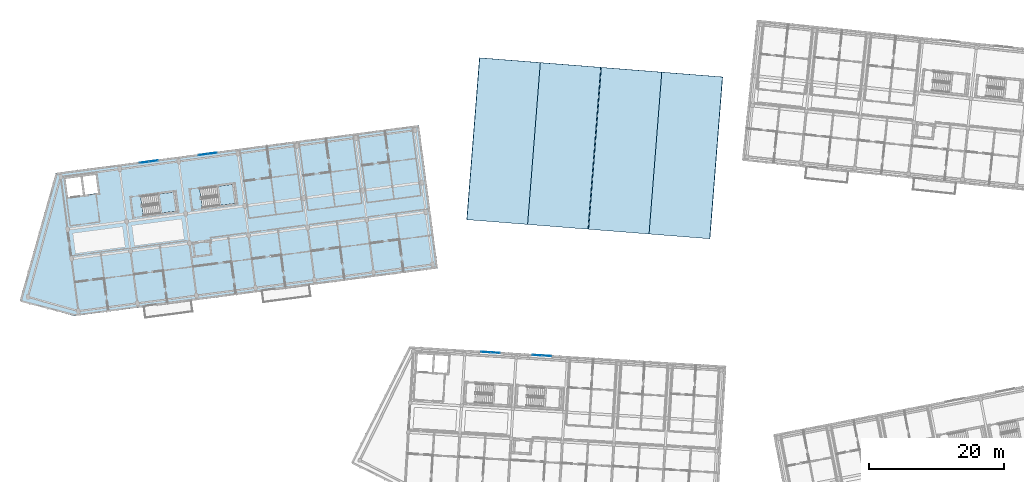
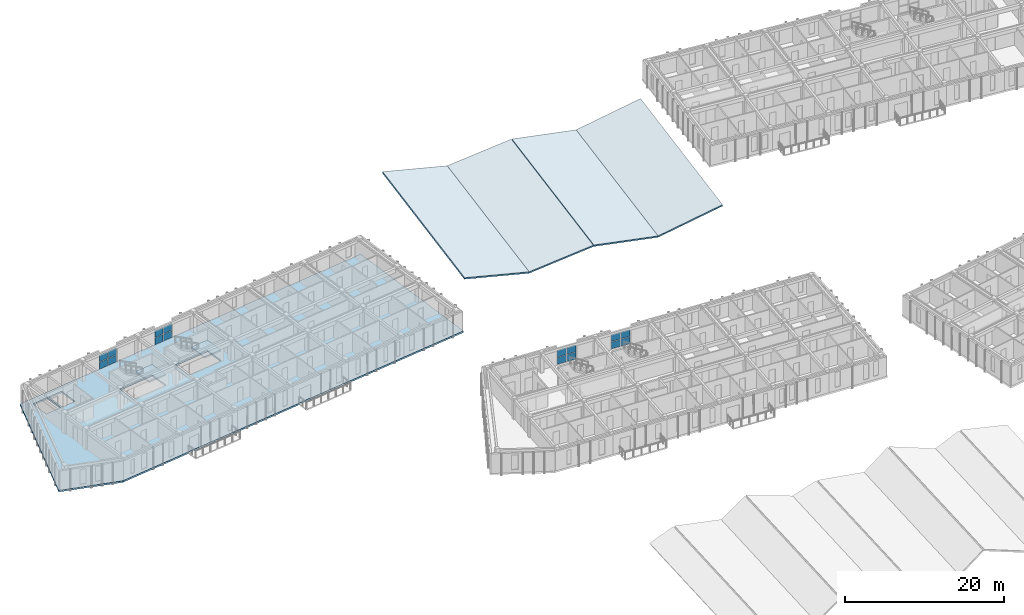
# One storey, part 16 of 74: 16 plates, 7 slabs, 6 elements without a shape of their own.
"""IFC4 building model written with IfcOpenShell, lengths in metres."""

import ifcopenshell
import ifcopenshell.guid

model = None  # the IFC model being written
_history = None  # IfcOwnerHistory: only IFC2X3 demands one
_inside = {}  # id of a spatial element -> (the spatial element, [elements in it])
_under = {}  # id of a project, library or spatial element -> (it, [spatial elements below it])
_declared = {}  # id of a project -> (the project, [libraries it declares])
_typed = {}  # id of a type object -> (the type object, [elements of that type])
_made_of = {}  # id of a material, layer set ... -> (it, [elements and type objects made of it])


def new_model(schema):
    """Start an empty IFC model of exactly this schema.

    Asked for "IFC4X3", IfcOpenShell would pick the latest addendum, in which some entities
    have other attributes; the version numbers below select the first issue.
    IFC2X3 requires an IfcOwnerHistory on every rooted entity: one is made here for all.
    """
    global model, _history
    if schema == "IFC4X3":
        model = ifcopenshell.file(schema_version=(4, 3, 0, 0))
    else:
        model = ifcopenshell.file(schema=schema)
    _inside.clear()
    _under.clear()
    _declared.clear()
    _typed.clear()
    _made_of.clear()
    _history = None
    if model.schema == "IFC2X3":
        org = make("IfcOrganization", Name="unknown")
        user = make(
            "IfcPersonAndOrganization",
            ThePerson=make("IfcPerson", FamilyName="unknown"),
            TheOrganization=org,
        )
        app = make(
            "IfcApplication",
            ApplicationDeveloper=org,
            Version="unknown",
            ApplicationFullName="unknown",
            ApplicationIdentifier="unknown",
        )
        _history = make(
            "IfcOwnerHistory",
            OwningUser=user,
            OwningApplication=app,
            ChangeAction="ADDED",
            CreationDate=0,
        )
    return model


def make(cls, **values):
    """One entity of the class cls with the attributes given. An attribute that is None is left unset."""
    return model.create_entity(
        cls, **{name: value for name, value in values.items() if value is not None}
    )


def rooted(cls, **values):
    """An entity with a GlobalId (a new one), such as an element, a storey or a relation."""
    return make(cls, GlobalId=ifcopenshell.guid.new(), OwnerHistory=_history, **values)


def si_unit(unit_type, name, prefix=None):
    """IfcSIUnit, for example si_unit("LENGTHUNIT", "METRE", prefix="MILLI")."""
    return make("IfcSIUnit", UnitType=unit_type, Prefix=prefix, Name=name)


def assignment(units):
    """IfcUnitAssignment: the units of a project."""
    return None if units is None else make("IfcUnitAssignment", Units=units)


def point(xyz):
    """IfcCartesianPoint."""
    return None if xyz is None else make("IfcCartesianPoint", Coordinates=xyz)


def direction(xyz):
    """IfcDirection."""
    return None if xyz is None else make("IfcDirection", DirectionRatios=xyz)


def frame(location, z_axis=None, x_axis=None):
    """IfcAxis2Placement3D, a coordinate frame: its origin and axes. An axis left out is left unset."""
    return make(
        "IfcAxis2Placement3D",
        Location=point(location),
        Axis=direction(z_axis),
        RefDirection=direction(x_axis),
    )


def frame_2d(location, x_axis=None):
    """IfcAxis2Placement2D, a coordinate frame in the plane: its origin and x axis."""
    return make(
        "IfcAxis2Placement2D", Location=point(location), RefDirection=direction(x_axis)
    )


def origin():
    """The frame at (0, 0, 0) with its axes left unset."""
    return frame((0.0, 0.0, 0.0))


def origin_2d():
    """The frame at (0, 0) in the plane with its x axis left unset."""
    return frame_2d((0.0, 0.0))


def place(relative_to, where):
    """IfcLocalPlacement: puts the frame where relative to a parent placement (None: the world)."""
    return make(
        "IfcLocalPlacement", PlacementRelTo=relative_to, RelativePlacement=where
    )


def context(
    kind, dimensions, precision=None, world=None, true_north=None, identifier=None
):
    """IfcGeometricRepresentationContext, for example the 3D "Model" context."""
    return make(
        "IfcGeometricRepresentationContext",
        ContextIdentifier=identifier,
        ContextType=kind,
        CoordinateSpaceDimension=dimensions,
        Precision=precision,
        WorldCoordinateSystem=world,
        TrueNorth=true_north,
    )


def subcontext(parent, identifier, kind, view, scale=None):
    """IfcGeometricRepresentationSubContext, for example "Body" below "Model"."""
    return make(
        "IfcGeometricRepresentationSubContext",
        ContextIdentifier=identifier,
        ContextType=kind,
        ParentContext=parent,
        TargetScale=scale,
        TargetView=view,
    )


def project(units=None, contexts=None):
    """IfcProject with its units and contexts."""
    return rooted(
        "IfcProject",
        Name="project",
        RepresentationContexts=contexts,
        UnitsInContext=assignment(units),
    )


def spatial(cls, under=None, at=None, **own):
    """A site, building, storey or space (cls), placed at a placement, below another one or the project."""
    s = rooted(cls, ObjectPlacement=at, **own)
    if under is not None:
        _under.setdefault(under.id(), (under, []))[1].append(s)
    return s


def polyline(points):
    """IfcPolyline through the points."""
    return make("IfcPolyline", Points=[point(p) for p in points])


def profile(cls, at=None, kind="AREA", **sizes):
    """A parametric profile (cls). Its sizes go by their IFC names, for example OverallWidth=200.0."""
    return make(cls, ProfileType=kind, Position=at, **sizes)


def rectangle(**sizes):
    """IfcRectangleProfileDef."""
    return profile("IfcRectangleProfileDef", **sizes)


def outline(outer, holes=None, kind="AREA"):
    """IfcArbitraryClosedProfileDef: a profile drawn as a closed curve; with holes, ...WithVoids."""
    if holes is None:
        return make("IfcArbitraryClosedProfileDef", ProfileType=kind, OuterCurve=outer)
    return make(
        "IfcArbitraryProfileDefWithVoids",
        ProfileType=kind,
        OuterCurve=outer,
        InnerCurves=holes,
    )


def extrude(swept, where, along, depth):
    """IfcExtrudedAreaSolid: the profile swept, set in the frame where, extruded along a direction by depth."""
    return make(
        "IfcExtrudedAreaSolid",
        SweptArea=swept,
        Position=where,
        ExtrudedDirection=direction(along),
        Depth=depth,
    )


def shape(context_of_items, identifier, shape_type, items):
    """IfcShapeRepresentation: the items that make up one representation, for example the "Body"."""
    return make(
        "IfcShapeRepresentation",
        ContextOfItems=context_of_items,
        RepresentationIdentifier=identifier,
        RepresentationType=shape_type,
        Items=items,
    )


def material(Name=None, Category=None):
    """IfcMaterial."""
    return make("IfcMaterial", Name=Name, Category=Category)


def layer(
    of_material, thickness, ventilated=None, Name=None, Category=None, Priority=None
):
    """IfcMaterialLayer: one layer of a wall or slab, of a material (None: an air gap)."""
    return make(
        "IfcMaterialLayer",
        Material=of_material,
        LayerThickness=thickness,
        IsVentilated=ventilated,
        Name=Name,
        Category=Category,
        Priority=Priority,
    )


def layer_set(layers, Name=None):
    """IfcMaterialLayerSet."""
    return make("IfcMaterialLayerSet", MaterialLayers=layers, LayerSetName=Name)


def made_of(thing, what):
    """Note that an element or type object is made of a material, layer set ...; save() writes the relation."""
    if what is not None:
        _made_of.setdefault(what.id(), (what, []))[1].append(thing)
    return thing


def type_object(cls, material=None, **own):
    """A type object (cls), such as IfcWallType, which elements share."""
    return made_of(rooted(cls, **own), material)


def element(
    cls,
    number,
    at=None,
    inside=None,
    cuts=None,
    type_object=None,
    material=None,
    context=None,
    identifier="Body",
    shape_type=None,
    held_by="IfcProductDefinitionShape",
    body=None,
    shapes=None,
    **own,
):
    """One element of the class cls, such as IfcWall. Its Tag is "e" and its number.

    at: its placement. inside: the storey or other place that contains it. cuts: it is an
    opening in that element (IfcRelVoidsElement). A single representation is given by context,
    identifier, shape_type and body (its items); several are given by shapes. held_by: the class
    of the entity that holds the representations. save() writes the other relations.
    """
    e = rooted(cls, Tag="e%d" % number, ObjectPlacement=at, **own)
    if body is not None:
        shapes = [shape(context, identifier, shape_type, body)]
    if shapes is not None:
        e.Representation = make(held_by, Representations=shapes)
    if inside is not None:
        _inside.setdefault(inside.id(), (inside, []))[1].append(e)
    if cuts is not None:
        rooted(
            "IfcRelVoidsElement", RelatingBuildingElement=cuts, RelatedOpeningElement=e
        )
    if type_object is not None:
        _typed.setdefault(type_object.id(), (type_object, []))[1].append(e)
    return made_of(e, material)


def aggregate(whole, parts):
    """IfcRelAggregates: a whole, such as a stair, and the parts it consists of."""
    return rooted("IfcRelAggregates", RelatingObject=whole, RelatedObjects=parts)


def save(model, path):
    """Write the relations noted so far, then the file.

    IfcRelAggregates (storeys below a building ...), IfcRelContainedInSpatialStructure (elements
    in a storey), IfcRelDefinesByType, IfcRelAssociatesMaterial and IfcRelDeclares: one each for
    every whole, place, type object, material and project.
    """
    for whole, parts in _under.values():
        aggregate(whole, parts)
    for where, things in _inside.values():
        rooted(
            "IfcRelContainedInSpatialStructure",
            RelatedElements=things,
            RelatingStructure=where,
        )
    for kind, things in _typed.values():
        rooted("IfcRelDefinesByType", RelatedObjects=things, RelatingType=kind)
    for what, things in _made_of.values():
        rooted("IfcRelAssociatesMaterial", RelatedObjects=things, RelatingMaterial=what)
    for by, libraries in _declared.values():
        rooted("IfcRelDeclares", RelatingContext=by, RelatedDefinitions=libraries)
    model.write(path)


model = new_model("IFC4")

# Units and contexts
model_context = context("Model", 3, precision=1e-05, world=origin(), true_north=direction((0.0, 1.0)))
body_context = subcontext(model_context, "Body", "Model", "MODEL_VIEW")
ifc_project = project(units=[si_unit("LENGTHUNIT", "METRE"), si_unit("AREAUNIT", "SQUARE_METRE"), si_unit("VOLUMEUNIT", "CUBIC_METRE"), si_unit("PLANEANGLEUNIT", "RADIAN"), si_unit("MASSUNIT", "GRAM", prefix="KILO")], contexts=[model_context])

# Site, building, storey
site_placement = place(None, origin())
site = spatial("IfcSite", under=ifc_project, at=site_placement, CompositionType="ELEMENT")
building_placement = place(site_placement, origin())
building = spatial("IfcBuilding", under=site, at=building_placement, Name="Kestramere Prow Commons", CompositionType="ELEMENT")
storey_placement = place(building_placement, frame((0.0, 0.0, 11.64990234375)))
storey = spatial("IfcBuildingStorey", under=building, at=storey_placement, Name="L03", CompositionType="ELEMENT", Elevation=11.64990234375)

# Curtain wall, plates
ifc_material_1 = material(Name="Anodised Aluminium and Low-E Glass", Category="aluminium")
curtain_wall_type = type_object("IfcCurtainWallType", Name="CW-03 Glazed Curtain Wall 2830x2320", PredefinedType="USERDEFINED", material=ifc_material_1)
curtain_wall_1_placement = place(storey_placement, origin())
curtain_wall_1 = element("IfcCurtainWall", 1, at=curtain_wall_1_placement, inside=storey, type_object=curtain_wall_type, Name="Block A L03 Stairwell Vertical Glazing 2", ObjectType="GLAZED CURTAIN WALL", PredefinedType="USERDEFINED")
ifc_material_2 = material(Name="Low-E Laminated Double Glazing", Category="glass")
ifc_layer_1 = layer(ifc_material_2, 0.028076171875)
ifc_layer_set_1 = layer_set([ifc_layer_1], Name="Low-E Laminated Double Glazing")
plate_type = type_object("IfcPlateType", Name="CW-PNL-28", PredefinedType="CURTAIN_PANEL", material=ifc_layer_set_1)
plate_1_placement = place(storey_placement, frame((20.922607421875, 93.982177734375, 0.065185546875), z_axis=(0.0, 0.0, 1.0), x_axis=(0.991444867297, 0.13052614723, 0.0)))
plate_1 = element("IfcPlate", 2, at=plate_1_placement, type_object=plate_type, Name="CW-03 panel 1.1", PredefinedType="CURTAIN_PANEL", context=body_context, shape_type="SweptSolid", body=[
    extrude(rectangle(XDim=1.3173828125, YDim=0.028076171875, at=origin_2d()), origin(), (0.0, 0.0, 1.0), 1.0625),
])
plate_2_placement = place(storey_placement, frame((20.922607421875, 93.982177734375, 1.192626953125), z_axis=(0.0, 0.0, 1.0), x_axis=(0.991444867297, 0.13052614723, 0.0)))
plate_2 = element("IfcPlate", 3, at=plate_2_placement, type_object=plate_type, Name="CW-03 panel 1.2", PredefinedType="CURTAIN_PANEL", context=body_context, shape_type="SweptSolid", body=[
    extrude(rectangle(XDim=1.3173828125, YDim=0.028076171875, at=origin_2d()), origin(), (0.0, 0.0, 1.0), 1.0625),
])
plate_3_placement = place(storey_placement, frame((22.29345703125, 94.16259765625, 0.065185546875), z_axis=(0.0, 0.0, 1.0), x_axis=(0.991444867297, 0.13052614723, 0.0)))
plate_3 = element("IfcPlate", 4, at=plate_3_placement, type_object=plate_type, Name="CW-03 panel 2.1", PredefinedType="CURTAIN_PANEL", context=body_context, shape_type="SweptSolid", body=[
    extrude(rectangle(XDim=1.3173828125, YDim=0.028076171875, at=origin_2d()), origin(), (0.0, 0.0, 1.0), 1.0625),
])
plate_4_placement = place(storey_placement, frame((22.29345703125, 94.16259765625, 1.192626953125), z_axis=(0.0, 0.0, 1.0), x_axis=(0.991444867297, 0.13052614723, 0.0)))
plate_4 = element("IfcPlate", 5, at=plate_4_placement, type_object=plate_type, Name="CW-03 panel 2.2", PredefinedType="CURTAIN_PANEL", context=body_context, shape_type="SweptSolid", body=[
    extrude(rectangle(XDim=1.3173828125, YDim=0.028076171875, at=origin_2d()), origin(), (0.0, 0.0, 1.0), 1.0625),
])
aggregate(curtain_wall_1, [plate_1, plate_2, plate_3, plate_4])

curtain_wall_2_placement = place(storey_placement, origin())
curtain_wall_2 = element("IfcCurtainWall", 6, at=curtain_wall_2_placement, inside=storey, type_object=curtain_wall_type, Name="Block A L03 Stairwell Vertical Glazing 3", ObjectType="GLAZED CURTAIN WALL", PredefinedType="USERDEFINED")
plate_5_placement = place(storey_placement, frame((29.6474609375, 95.130859375, 0.065185546875), z_axis=(0.0, 0.0, 1.0), x_axis=(0.991444821571, 0.130526494555, 0.0)))
plate_5 = element("IfcPlate", 7, at=plate_5_placement, type_object=plate_type, Name="CW-03 panel 1.1", PredefinedType="CURTAIN_PANEL", context=body_context, shape_type="SweptSolid", body=[
    extrude(rectangle(XDim=1.3173828125, YDim=0.028076171875, at=origin_2d()), origin(), (0.0, 0.0, 1.0), 1.0625),
])
plate_6_placement = place(storey_placement, frame((29.6474609375, 95.130859375, 1.192626953125), z_axis=(0.0, 0.0, 1.0), x_axis=(0.991444821571, 0.130526494555, 0.0)))
plate_6 = element("IfcPlate", 8, at=plate_6_placement, type_object=plate_type, Name="CW-03 panel 1.2", PredefinedType="CURTAIN_PANEL", context=body_context, shape_type="SweptSolid", body=[
    extrude(rectangle(XDim=1.3173828125, YDim=0.028076171875, at=origin_2d()), origin(), (0.0, 0.0, 1.0), 1.0625),
])
plate_7_placement = place(storey_placement, frame((31.01806640625, 95.311279296875, 0.065185546875), z_axis=(0.0, 0.0, 1.0), x_axis=(0.991444821571, 0.130526494555, 0.0)))
plate_7 = element("IfcPlate", 9, at=plate_7_placement, type_object=plate_type, Name="CW-03 panel 2.1", PredefinedType="CURTAIN_PANEL", context=body_context, shape_type="SweptSolid", body=[
    extrude(rectangle(XDim=1.3173828125, YDim=0.028076171875, at=origin_2d()), origin(), (0.0, 0.0, 1.0), 1.0625),
])
plate_8_placement = place(storey_placement, frame((31.01806640625, 95.311279296875, 1.192626953125), z_axis=(0.0, 0.0, 1.0), x_axis=(0.991444821571, 0.130526494555, 0.0)))
plate_8 = element("IfcPlate", 10, at=plate_8_placement, type_object=plate_type, Name="CW-03 panel 2.2", PredefinedType="CURTAIN_PANEL", context=body_context, shape_type="SweptSolid", body=[
    extrude(rectangle(XDim=1.3173828125, YDim=0.028076171875, at=origin_2d()), origin(), (0.0, 0.0, 1.0), 1.0625),
])
aggregate(curtain_wall_2, [plate_5, plate_6, plate_7, plate_8])

curtain_wall_3_placement = place(storey_placement, origin())
curtain_wall_3 = element("IfcCurtainWall", 11, at=curtain_wall_3_placement, inside=storey, type_object=curtain_wall_type, Name="Block C L03 Stairwell Vertical Glazing 2", ObjectType="GLAZED CURTAIN WALL", PredefinedType="USERDEFINED")
plate_9_placement = place(storey_placement, frame((71.41748046875, 65.93359375, 0.065185546875), z_axis=(0.0, 0.0, 1.0), x_axis=(0.99813480569, -0.061048420708, 0.0)))
plate_9 = element("IfcPlate", 12, at=plate_9_placement, type_object=plate_type, Name="CW-03 panel 1.1", PredefinedType="CURTAIN_PANEL", context=body_context, shape_type="SweptSolid", body=[
    extrude(rectangle(XDim=1.3173828125, YDim=0.028076171875, at=origin_2d()), origin(), (0.0, 0.0, 1.0), 1.0625),
])
plate_10_placement = place(storey_placement, frame((71.41748046875, 65.93359375, 1.192626953125), z_axis=(0.0, 0.0, 1.0), x_axis=(0.99813480569, -0.061048420708, 0.0)))
plate_10 = element("IfcPlate", 13, at=plate_10_placement, type_object=plate_type, Name="CW-03 panel 1.2", PredefinedType="CURTAIN_PANEL", context=body_context, shape_type="SweptSolid", body=[
    extrude(rectangle(XDim=1.3173828125, YDim=0.028076171875, at=origin_2d()), origin(), (0.0, 0.0, 1.0), 1.0625),
])
plate_11_placement = place(storey_placement, frame((72.79736328125, 65.849365234375, 0.065185546875), z_axis=(0.0, 0.0, 1.0), x_axis=(0.99813480569, -0.061048420708, 0.0)))
plate_11 = element("IfcPlate", 14, at=plate_11_placement, type_object=plate_type, Name="CW-03 panel 2.1", PredefinedType="CURTAIN_PANEL", context=body_context, shape_type="SweptSolid", body=[
    extrude(rectangle(XDim=1.3173828125, YDim=0.028076171875, at=origin_2d()), origin(), (0.0, 0.0, 1.0), 1.0625),
])
plate_12_placement = place(storey_placement, frame((72.79736328125, 65.849365234375, 1.192626953125), z_axis=(0.0, 0.0, 1.0), x_axis=(0.99813480569, -0.061048420708, 0.0)))
plate_12 = element("IfcPlate", 15, at=plate_12_placement, type_object=plate_type, Name="CW-03 panel 2.2", PredefinedType="CURTAIN_PANEL", context=body_context, shape_type="SweptSolid", body=[
    extrude(rectangle(XDim=1.3173828125, YDim=0.028076171875, at=origin_2d()), origin(), (0.0, 0.0, 1.0), 1.0625),
])
aggregate(curtain_wall_3, [plate_9, plate_10, plate_11, plate_12])

curtain_wall_4_placement = place(storey_placement, origin())
curtain_wall_4 = element("IfcCurtainWall", 16, at=curtain_wall_4_placement, inside=storey, type_object=curtain_wall_type, Name="Block C L03 Stairwell Vertical Glazing 3", ObjectType="GLAZED CURTAIN WALL", PredefinedType="USERDEFINED")
plate_13_placement = place(storey_placement, frame((79.003173828125, 65.4697265625, 0.065185546875), z_axis=(0.0, 0.0, 1.0), x_axis=(0.998134807007, -0.061048399176, 0.0)))
plate_13 = element("IfcPlate", 17, at=plate_13_placement, type_object=plate_type, Name="CW-03 panel 1.1", PredefinedType="CURTAIN_PANEL", context=body_context, shape_type="SweptSolid", body=[
    extrude(rectangle(XDim=1.3173828125, YDim=0.028076171875, at=origin_2d()), origin(), (0.0, 0.0, 1.0), 1.0625),
])
plate_14_placement = place(storey_placement, frame((79.003173828125, 65.4697265625, 1.192626953125), z_axis=(0.0, 0.0, 1.0), x_axis=(0.998134807007, -0.061048399176, 0.0)))
plate_14 = element("IfcPlate", 18, at=plate_14_placement, type_object=plate_type, Name="CW-03 panel 1.2", PredefinedType="CURTAIN_PANEL", context=body_context, shape_type="SweptSolid", body=[
    extrude(rectangle(XDim=1.3173828125, YDim=0.028076171875, at=origin_2d()), origin(), (0.0, 0.0, 1.0), 1.0625),
])
plate_15_placement = place(storey_placement, frame((80.383056640625, 65.38525390625, 0.065185546875), z_axis=(0.0, 0.0, 1.0), x_axis=(0.998134807007, -0.061048399176, 0.0)))
plate_15 = element("IfcPlate", 19, at=plate_15_placement, type_object=plate_type, Name="CW-03 panel 2.1", PredefinedType="CURTAIN_PANEL", context=body_context, shape_type="SweptSolid", body=[
    extrude(rectangle(XDim=1.3173828125, YDim=0.028076171875, at=origin_2d()), origin(), (0.0, 0.0, 1.0), 1.0625),
])
plate_16_placement = place(storey_placement, frame((80.383056640625, 65.38525390625, 1.192626953125), z_axis=(0.0, 0.0, 1.0), x_axis=(0.998134807007, -0.061048399176, 0.0)))
plate_16 = element("IfcPlate", 20, at=plate_16_placement, type_object=plate_type, Name="CW-03 panel 2.2", PredefinedType="CURTAIN_PANEL", context=body_context, shape_type="SweptSolid", body=[
    extrude(rectangle(XDim=1.3173828125, YDim=0.028076171875, at=origin_2d()), origin(), (0.0, 0.0, 1.0), 1.0625),
])
aggregate(curtain_wall_4, [plate_13, plate_14, plate_15, plate_16])

# Slabs
ifc_material_3 = material(Name="Precast concrete C40/50", Category="concrete")
ifc_layer_2 = layer(ifc_material_3, 0.25)
ifc_layer_set_2 = layer_set([ifc_layer_2], Name="Precast concrete C40/50")
slab_type_1 = type_object("IfcSlabType", Name="SL-HC-250", PredefinedType="FLOOR", material=ifc_layer_set_2)
slab_1_placement = place(storey_placement, frame((0.0, 0.0, -0.25)))
element("IfcSlab", 21, at=slab_1_placement, inside=storey, type_object=slab_type_1, Name="Block A L03 Hollowcore Floor Slab", PredefinedType="FLOOR", context=body_context, shape_type="SweptSolid", body=[
    extrude(outline(polyline([(2.58203125, 73.48779296875), (10.640380859375, 71.270751953125), (64.277587890625, 78.332275390625), (61.497314453125, 99.449951171875), (7.860107421875, 92.388427734375), (2.58203125, 73.48779296875)]), holes=[polyline([(9.638427734375, 88.84033203125), (11.9189453125, 89.140380859375), (11.559814453125, 91.866943359375), (9.279541015625, 91.566650390625), (9.638427734375, 88.84033203125)]), polyline([(12.166748046875, 89.173095703125), (14.149658203125, 89.43408203125), (13.790771484375, 92.16064453125), (11.807861328125, 91.899658203125), (12.166748046875, 89.173095703125)]), polyline([(20.78857421875, 86.122314453125), (25.844970703125, 86.7880859375), (25.47314453125, 89.61376953125), (20.416748046875, 88.947998046875), (20.78857421875, 86.122314453125)]), polyline([(29.513427734375, 87.27099609375), (34.56982421875, 87.936767578125), (34.19775390625, 90.76220703125), (29.141357421875, 90.0966796875), (29.513427734375, 87.27099609375)])]), origin(), (0.0, 0.0, 1.0), 0.25),
])
ifc_layer_3 = layer(ifc_material_3, 0.219970703125)
ifc_layer_set_3 = layer_set([ifc_layer_3], Name="Precast concrete C40/50")
slab_type_2 = type_object("IfcSlabType", Name="SL-ROOF-FOLD-220", PredefinedType="ROOF", material=ifc_layer_set_3)
slab_2_placement = place(storey_placement, frame((68.60009765625, 85.5, 2.300048828125), z_axis=(0.191618139281, -0.062165425503, 0.979498825201), x_axis=(0.977557547786, -0.076927913966, -0.196120720015)))
element("IfcSlab", 22, at=slab_2_placement, inside=storey, type_object=slab_type_2, Name="Nursery Butterfly Sloped Roof Fold 1", PredefinedType="ROOF", context=body_context, shape_type="SweptSolid", body=[
    extrude(outline(polyline([(0.0, 0.0), (9.178152704345864, 2.7755575615628914e-17), (8.952802156867826, 24.026498857935138), (-0.22558920898872717, 24.026477485198473), (0.0, 0.0)])), origin(), (0.0, 0.0, -1.0), 0.219970703125),
])
slab_3_placement = place(storey_placement, frame((77.572265625, 84.7939453125, 0.5), z_axis=(-0.15678055048, -0.035108117547, 0.987009259872), x_axis=(0.985069008146, -0.077529801989, 0.15371460241)))
element("IfcSlab", 23, at=slab_3_placement, inside=storey, type_object=slab_type_2, Name="Nursery Butterfly Sloped Roof Fold 2", PredefinedType="ROOF", context=body_context, shape_type="SweptSolid", body=[
    extrude(outline(polyline([(0.0, 0.0), (9.062803884850029, -6.938893903907228e-17), (9.239318425388754, 24.026888135069026), (0.17675503590204134, 24.02690549981564), (0.0, 0.0)])), origin(), (0.0, 0.0, -1.0), 0.219970703125),
])
slab_4_placement = place(storey_placement, frame((86.58935546875, 84.084228515625, 1.8935546875), z_axis=(0.138650116731, -0.058430882619, 0.988616193013), x_axis=(0.986676153913, -0.077655558157, -0.142967764152)))
element("IfcSlab", 24, at=slab_4_placement, inside=storey, type_object=slab_type_2, Name="Nursery Butterfly Sloped Roof Fold 3", PredefinedType="ROOF", context=body_context, shape_type="SweptSolid", body=[
    extrude(outline(polyline([(0.0, 0.0), (9.048028034910313, 1.3877787807814457e-17), (8.883607295417272, 24.02698138573917), (-0.164455643732336, 24.026992832371576), (0.0, 0.0)])), origin(), (0.0, 0.0, -1.0), 0.219970703125),
])
slab_5_placement = place(storey_placement, frame((95.516845703125, 83.381591796875, 0.60009765625), z_axis=(-0.229951661736, -0.028654576646, 0.97278011313), x_axis=(0.970836923066, -0.076398921946, 0.227241883326)))
element("IfcSlab", 25, at=slab_5_placement, inside=storey, type_object=slab_type_2, Name="Nursery Butterfly Sloped Roof Fold 4", PredefinedType="ROOF", context=body_context, shape_type="SweptSolid", body=[
    extrude(outline(polyline([(0.0, 0.0), (9.241683907545799, 1.3877787807814457e-17), (9.503208250432612, 24.02612065488046), (0.2615243428868143, 24.02612065488046), (0.0, 0.0)])), origin(), (0.0, 0.0, -1.0), 0.219970703125),
])

# Stair, slab
ifc_material_4 = material(Name="Concrete C40/50", Category="concrete")
stair_type = type_object("IfcStairType", Name="ST-DOG-1350", PredefinedType="HALF_TURN_STAIR", material=ifc_material_4)
stair_1_placement = place(storey_placement, origin())
stair_1 = element("IfcStair", 26, at=stair_1_placement, inside=storey, type_object=stair_type, Name="L03 Block A Exit Stair 1", PredefinedType="HALF_TURN_STAIR")
ifc_layer_4 = layer(ifc_material_4, 0.199951171875)
ifc_layer_set_4 = layer_set([ifc_layer_4], Name="Concrete C40/50")
slab_type_3 = type_object("IfcSlabType", Name="SL-ST-LAND-200", PredefinedType="LANDING", material=ifc_layer_set_4)
slab_6_placement = place(storey_placement, frame((0.0, 0.0, 1.425048828125)))
slab_6 = element("IfcSlab", 27, at=slab_6_placement, type_object=slab_type_3, Name="ST-A1 landing 1", PredefinedType="LANDING", context=body_context, shape_type="SweptSolid", body=[
    extrude(outline(polyline([(23.287109375, 86.451416015625), (25.844970703125, 86.7880859375), (25.47314453125, 89.61376953125), (22.9150390625, 89.27685546875), (23.287109375, 86.451416015625)])), origin(), (0.0, 0.0, 1.0), 0.199951171875),
])
aggregate(stair_1, [slab_6])

stair_2_placement = place(storey_placement, origin())
stair_2 = element("IfcStair", 28, at=stair_2_placement, inside=storey, type_object=stair_type, Name="L03 Block A Exit Stair 2", PredefinedType="HALF_TURN_STAIR")
slab_7_placement = place(storey_placement, frame((0.0, 0.0, 1.425048828125)))
slab_7 = element("IfcSlab", 29, at=slab_7_placement, type_object=slab_type_3, Name="ST-A2 landing 1", PredefinedType="LANDING", context=body_context, shape_type="SweptSolid", body=[
    extrude(outline(polyline([(32.011962890625, 87.599853515625), (34.56982421875, 87.936767578125), (34.19775390625, 90.76220703125), (31.639892578125, 90.425537109375), (32.011962890625, 87.599853515625)])), origin(), (0.0, 0.0, 1.0), 0.199951171875),
])
aggregate(stair_2, [slab_7])

save(model, "model.ifc")
